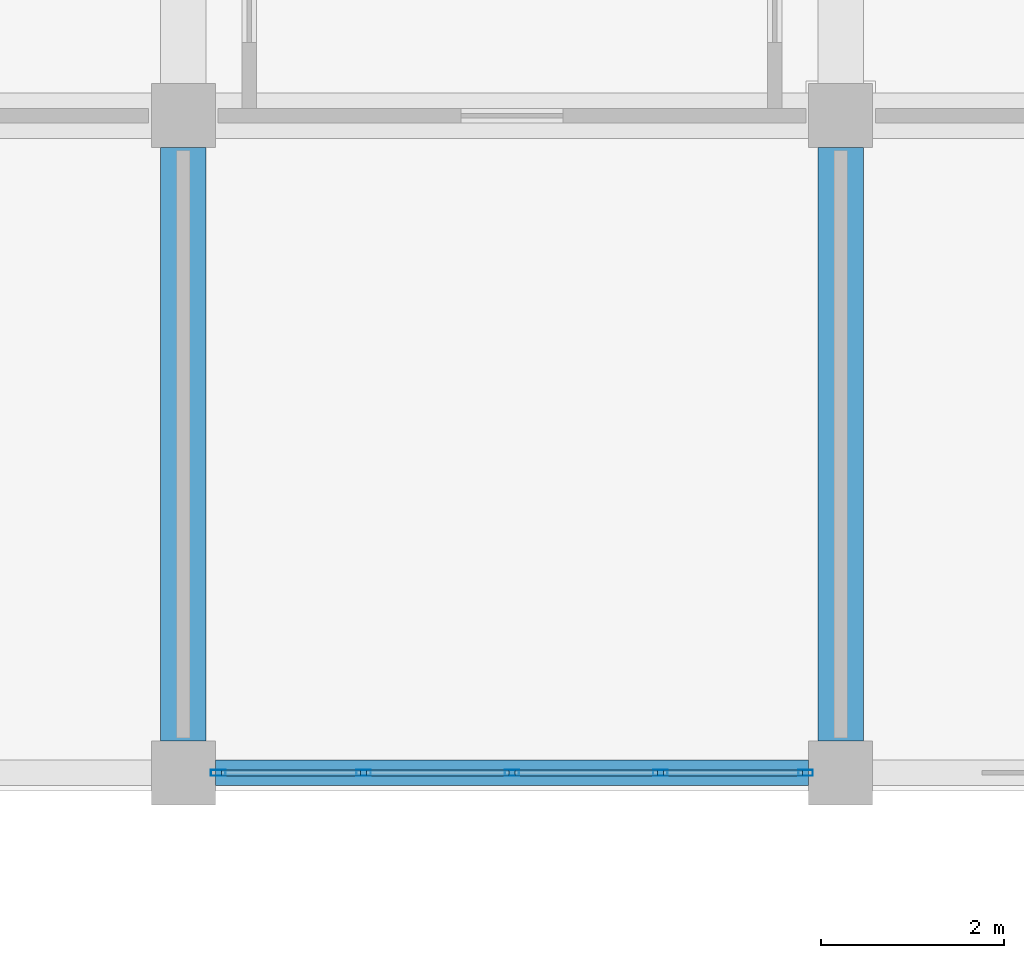
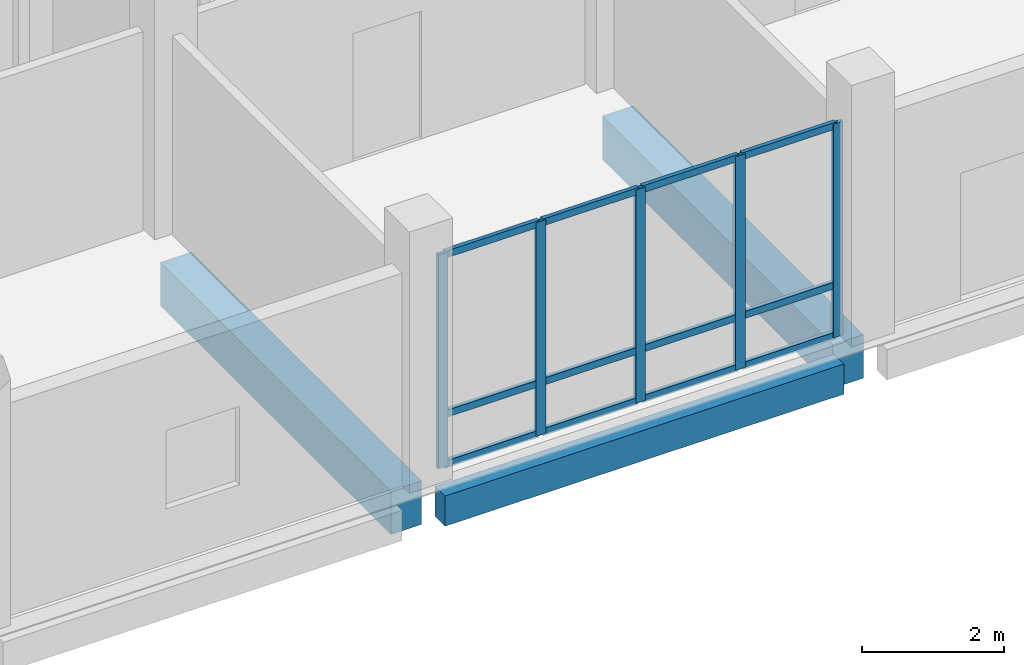
# One storey, part 73 of 139: 17 members, 3 beams, 1 element without a shape of its own.
"""IFC4 building model written with IfcOpenShell, lengths in metres."""

from ifc_helpers import new_model, si_unit, direction, frame, origin, origin_2d, place, context, subcontext, project, spatial, rectangle, hollow_rectangle, extrude, material, material_profile, profile_set, type_object, element, aggregate, save


model = new_model("IFC4")

# Units and contexts
model_context = context("Model", 3, precision=1e-05, world=origin(), true_north=direction((0.0, 1.0)))
body_context = subcontext(model_context, "Body", "Model", "MODEL_VIEW")
ifc_project = project(units=[si_unit("LENGTHUNIT", "METRE"), si_unit("AREAUNIT", "SQUARE_METRE"), si_unit("VOLUMEUNIT", "CUBIC_METRE"), si_unit("PLANEANGLEUNIT", "RADIAN"), si_unit("MASSUNIT", "GRAM", prefix="KILO")], contexts=[model_context])

# Site, building, storey
site_placement = place(None, origin())
site = spatial("IfcSite", under=ifc_project, at=site_placement, CompositionType="ELEMENT")
building_placement = place(site_placement, origin())
building = spatial("IfcBuilding", under=site, at=building_placement, Name="Suanplinth Sawtooth Commons", CompositionType="ELEMENT")
storey_placement = place(building_placement, origin())
storey = spatial("IfcBuildingStorey", under=building, at=storey_placement, Name="L00", CompositionType="ELEMENT", Elevation=0.0)

# Beams
ifc_material_1 = material(Name="Concrete C40/50", Category="concrete")
ifc_material_profile_1 = material_profile(ifc_material_1, rectangle(XDim=0.5, YDim=0.75, at=origin_2d()), Name="RC-GDR 500x750")
ifc_profile_set_1 = profile_set([ifc_material_profile_1], Name="Concrete C40/50")
beam_type_1 = type_object("IfcBeamType", Name="B-03", PredefinedType="USERDEFINED", material=ifc_profile_set_1)
for number, where, z_axis, x_axis, name in (
    (1, (165.60009765625, 0.35009765625, -0.794921875), (0.0, 1.0, 0.0), (-1.0, 0.0, 0.0), "BMY-L00-C-23-0"),
    (2, (172.800048828125, 0.35009765625, -0.794921875), (0.0, 1.0, 0.0), (-1.0, 0.0, 0.0), "BMY-L00-C-24-0"),
):
    element("IfcBeam", number, at=place(storey_placement, frame(where, z_axis=z_axis, x_axis=x_axis)), inside=storey, type_object=beam_type_1, Name=name, ObjectType="GIRDER", PredefinedType="USERDEFINED", context=body_context, shape_type="SweptSolid", body=[
        extrude(rectangle(XDim=0.5, YDim=0.75, at=origin_2d()), origin(), (0.0, 0.0, 1.0), 6.5),
    ])
ifc_material_2 = material(Name="Precast concrete C40/50", Category="concrete")
ifc_material_profile_2 = material_profile(ifc_material_2, rectangle(XDim=0.280029296875, YDim=0.52001953125, at=origin_2d()), Name="PC-SP 280x520")
ifc_profile_set_2 = profile_set([ifc_material_profile_2], Name="Precast concrete C40/50")
beam_type_2 = type_object("IfcBeamType", Name="B-08", PredefinedType="SPANDREL", material=ifc_profile_set_2)
beam_placement = place(storey_placement, frame((165.949951171875, 0.0, -0.679931640625), z_axis=(1.0, 0.0, 0.0), x_axis=(0.0, 1.0, 0.0)))
element("IfcBeam", 3, at=beam_placement, inside=storey, type_object=beam_type_2, Name="BMX-L00-C-23-0", PredefinedType="SPANDREL", context=body_context, shape_type="SweptSolid", body=[
    extrude(rectangle(XDim=0.280029296875, YDim=0.52001953125, at=origin_2d()), origin(), (0.0, 0.0, 1.0), 6.5),
])

# Curtain wall, members
ifc_material_3 = material(Name="Anodized aluminium and low-E glazing", Category="aluminium")
curtain_wall_type = type_object("IfcCurtainWallType", Name="CW-04", PredefinedType="USERDEFINED", material=ifc_material_3)
curtain_wall_placement = place(storey_placement, origin())
curtain_wall = element("IfcCurtainWall", 4, at=curtain_wall_placement, inside=storey, type_object=curtain_wall_type, Name="Curtain Wall CW-L00-C-S-23", ObjectType="CURTAIN WALL", PredefinedType="USERDEFINED")
ifc_material_4 = material(Name="Anodized aluminium 6063-T6", Category="aluminium")
ifc_material_profile_3 = material_profile(ifc_material_4, hollow_rectangle(XDim=0.06494140625, YDim=0.159912109375, WallThickness=0.00390625, at=origin_2d()), Name="ALU-MUL 65x160")
ifc_profile_set_3 = profile_set([ifc_material_profile_3], Name="Anodized aluminium 6063-T6")
member_type_1 = type_object("IfcMemberType", Name="M-13", PredefinedType="MULLION", material=ifc_profile_set_3)
member_1_placement = place(storey_placement, frame((165.982421875, 0.0, 0.0), z_axis=(0.0, 0.0, 1.0), x_axis=(0.0, 1.0, 0.0)))
member_1 = element("IfcMember", 5, at=member_1_placement, type_object=member_type_1, Name="CW-04 mullion 1", PredefinedType="MULLION", context=body_context, shape_type="SweptSolid", body=[
    extrude(hollow_rectangle(XDim=0.06494140625, YDim=0.159912109375, WallThickness=0.00390625, at=origin_2d()), origin(), (0.0, 0.0, 1.0), 3.679931640625),
])
member_2_placement = place(storey_placement, frame((167.574951171875, 0.0, 0.0), z_axis=(0.0, 0.0, 1.0), x_axis=(0.0, 1.0, 0.0)))
member_2 = element("IfcMember", 6, at=member_2_placement, type_object=member_type_1, Name="CW-04 mullion 2", PredefinedType="MULLION", context=body_context, shape_type="SweptSolid", body=[
    extrude(hollow_rectangle(XDim=0.06494140625, YDim=0.159912109375, WallThickness=0.00390625, at=origin_2d()), origin(), (0.0, 0.0, 1.0), 3.679931640625),
])
member_3_placement = place(storey_placement, frame((169.199951171875, 0.0, 0.0), z_axis=(0.0, 0.0, 1.0), x_axis=(0.0, 1.0, 0.0)))
member_3 = element("IfcMember", 7, at=member_3_placement, type_object=member_type_1, Name="CW-04 mullion 3", PredefinedType="MULLION", context=body_context, shape_type="SweptSolid", body=[
    extrude(hollow_rectangle(XDim=0.06494140625, YDim=0.159912109375, WallThickness=0.00390625, at=origin_2d()), origin(), (0.0, 0.0, 1.0), 3.679931640625),
])
member_4_placement = place(storey_placement, frame((170.824951171875, 0.0, 0.0), z_axis=(0.0, 0.0, 1.0), x_axis=(0.0, 1.0, 0.0)))
member_4 = element("IfcMember", 8, at=member_4_placement, type_object=member_type_1, Name="CW-04 mullion 4", PredefinedType="MULLION", context=body_context, shape_type="SweptSolid", body=[
    extrude(hollow_rectangle(XDim=0.06494140625, YDim=0.159912109375, WallThickness=0.00390625, at=origin_2d()), origin(), (0.0, 0.0, 1.0), 3.679931640625),
])
member_5_placement = place(storey_placement, frame((172.41748046875, 0.0, 0.0), z_axis=(0.0, 0.0, 1.0), x_axis=(0.0, 1.0, 0.0)))
member_5 = element("IfcMember", 9, at=member_5_placement, type_object=member_type_1, Name="CW-04 mullion 5", PredefinedType="MULLION", context=body_context, shape_type="SweptSolid", body=[
    extrude(hollow_rectangle(XDim=0.06494140625, YDim=0.159912109375, WallThickness=0.00390625, at=origin_2d()), origin(), (0.0, 0.0, 1.0), 3.679931640625),
])
ifc_material_profile_4 = material_profile(ifc_material_4, hollow_rectangle(XDim=0.06494140625, YDim=0.1201171875, WallThickness=0.00390625, at=origin_2d()), Name="ALU-TRN 65x120")
ifc_profile_set_4 = profile_set([ifc_material_profile_4], Name="Anodized aluminium 6063-T6")
member_type_2 = type_object("IfcMemberType", Name="M-15", PredefinedType="USERDEFINED", material=ifc_profile_set_4)
member_6_placement = place(storey_placement, frame((166.014892578125, 0.0, 0.032470703125), z_axis=(1.0, 0.0, 0.0), x_axis=(0.0, 1.0, 0.0)))
member_6 = element("IfcMember", 10, at=member_6_placement, type_object=member_type_2, Name="CW-04 transom 1.1", ObjectType="TRANSOM", PredefinedType="USERDEFINED", context=body_context, shape_type="SweptSolid", body=[
    extrude(hollow_rectangle(XDim=0.06494140625, YDim=0.1201171875, WallThickness=0.00390625, at=origin_2d()), origin(), (0.0, 0.0, 1.0), 1.527587890625),
])
member_7_placement = place(storey_placement, frame((166.014892578125, 0.0, 0.89990234375), z_axis=(1.0, 0.0, 0.0), x_axis=(0.0, 1.0, 0.0)))
member_7 = element("IfcMember", 11, at=member_7_placement, type_object=member_type_2, Name="CW-04 transom 1.2", ObjectType="TRANSOM", PredefinedType="USERDEFINED", context=body_context, shape_type="SweptSolid", body=[
    extrude(hollow_rectangle(XDim=0.06494140625, YDim=0.1201171875, WallThickness=0.00390625, at=origin_2d()), origin(), (0.0, 0.0, 1.0), 1.527587890625),
])
member_8_placement = place(storey_placement, frame((166.014892578125, 0.0, 3.6474609375), z_axis=(1.0, 0.0, 0.0), x_axis=(0.0, 1.0, 0.0)))
member_8 = element("IfcMember", 12, at=member_8_placement, type_object=member_type_2, Name="CW-04 transom 1.3", ObjectType="TRANSOM", PredefinedType="USERDEFINED", context=body_context, shape_type="SweptSolid", body=[
    extrude(hollow_rectangle(XDim=0.06494140625, YDim=0.1201171875, WallThickness=0.00390625, at=origin_2d()), origin(), (0.0, 0.0, 1.0), 1.527587890625),
])
member_9_placement = place(storey_placement, frame((167.607421875, 0.0, 0.032470703125), z_axis=(1.0, 0.0, 0.0), x_axis=(0.0, 1.0, 0.0)))
member_9 = element("IfcMember", 13, at=member_9_placement, type_object=member_type_2, Name="CW-04 transom 2.1", ObjectType="TRANSOM", PredefinedType="USERDEFINED", context=body_context, shape_type="SweptSolid", body=[
    extrude(hollow_rectangle(XDim=0.06494140625, YDim=0.1201171875, WallThickness=0.00390625, at=origin_2d()), origin(), (0.0, 0.0, 1.0), 1.56005859375),
])
member_10_placement = place(storey_placement, frame((167.607421875, 0.0, 0.89990234375), z_axis=(1.0, 0.0, 0.0), x_axis=(0.0, 1.0, 0.0)))
member_10 = element("IfcMember", 14, at=member_10_placement, type_object=member_type_2, Name="CW-04 transom 2.2", ObjectType="TRANSOM", PredefinedType="USERDEFINED", context=body_context, shape_type="SweptSolid", body=[
    extrude(hollow_rectangle(XDim=0.06494140625, YDim=0.1201171875, WallThickness=0.00390625, at=origin_2d()), origin(), (0.0, 0.0, 1.0), 1.56005859375),
])
member_11_placement = place(storey_placement, frame((167.607421875, 0.0, 3.6474609375), z_axis=(1.0, 0.0, 0.0), x_axis=(0.0, 1.0, 0.0)))
member_11 = element("IfcMember", 15, at=member_11_placement, type_object=member_type_2, Name="CW-04 transom 2.3", ObjectType="TRANSOM", PredefinedType="USERDEFINED", context=body_context, shape_type="SweptSolid", body=[
    extrude(hollow_rectangle(XDim=0.06494140625, YDim=0.1201171875, WallThickness=0.00390625, at=origin_2d()), origin(), (0.0, 0.0, 1.0), 1.56005859375),
])
member_12_placement = place(storey_placement, frame((169.232421875, 0.0, 0.032470703125), z_axis=(1.0, 0.0, 0.0), x_axis=(0.0, 1.0, 0.0)))
member_12 = element("IfcMember", 16, at=member_12_placement, type_object=member_type_2, Name="CW-04 transom 3.1", ObjectType="TRANSOM", PredefinedType="USERDEFINED", context=body_context, shape_type="SweptSolid", body=[
    extrude(hollow_rectangle(XDim=0.06494140625, YDim=0.1201171875, WallThickness=0.00390625, at=origin_2d()), origin(), (0.0, 0.0, 1.0), 1.56005859375),
])
member_13_placement = place(storey_placement, frame((169.232421875, 0.0, 0.89990234375), z_axis=(1.0, 0.0, 0.0), x_axis=(0.0, 1.0, 0.0)))
member_13 = element("IfcMember", 17, at=member_13_placement, type_object=member_type_2, Name="CW-04 transom 3.2", ObjectType="TRANSOM", PredefinedType="USERDEFINED", context=body_context, shape_type="SweptSolid", body=[
    extrude(hollow_rectangle(XDim=0.06494140625, YDim=0.1201171875, WallThickness=0.00390625, at=origin_2d()), origin(), (0.0, 0.0, 1.0), 1.56005859375),
])
member_14_placement = place(storey_placement, frame((169.232421875, 0.0, 3.6474609375), z_axis=(1.0, 0.0, 0.0), x_axis=(0.0, 1.0, 0.0)))
member_14 = element("IfcMember", 18, at=member_14_placement, type_object=member_type_2, Name="CW-04 transom 3.3", ObjectType="TRANSOM", PredefinedType="USERDEFINED", context=body_context, shape_type="SweptSolid", body=[
    extrude(hollow_rectangle(XDim=0.06494140625, YDim=0.1201171875, WallThickness=0.00390625, at=origin_2d()), origin(), (0.0, 0.0, 1.0), 1.56005859375),
])
member_15_placement = place(storey_placement, frame((170.857421875, 0.0, 0.032470703125), z_axis=(1.0, 0.0, 0.0), x_axis=(0.0, 1.0, 0.0)))
member_15 = element("IfcMember", 19, at=member_15_placement, type_object=member_type_2, Name="CW-04 transom 4.1", ObjectType="TRANSOM", PredefinedType="USERDEFINED", context=body_context, shape_type="SweptSolid", body=[
    extrude(hollow_rectangle(XDim=0.06494140625, YDim=0.1201171875, WallThickness=0.00390625, at=origin_2d()), origin(), (0.0, 0.0, 1.0), 1.527587890625),
])
member_16_placement = place(storey_placement, frame((170.857421875, 0.0, 0.89990234375), z_axis=(1.0, 0.0, 0.0), x_axis=(0.0, 1.0, 0.0)))
member_16 = element("IfcMember", 20, at=member_16_placement, type_object=member_type_2, Name="CW-04 transom 4.2", ObjectType="TRANSOM", PredefinedType="USERDEFINED", context=body_context, shape_type="SweptSolid", body=[
    extrude(hollow_rectangle(XDim=0.06494140625, YDim=0.1201171875, WallThickness=0.00390625, at=origin_2d()), origin(), (0.0, 0.0, 1.0), 1.527587890625),
])
member_17_placement = place(storey_placement, frame((170.857421875, 0.0, 3.6474609375), z_axis=(1.0, 0.0, 0.0), x_axis=(0.0, 1.0, 0.0)))
member_17 = element("IfcMember", 21, at=member_17_placement, type_object=member_type_2, Name="CW-04 transom 4.3", ObjectType="TRANSOM", PredefinedType="USERDEFINED", context=body_context, shape_type="SweptSolid", body=[
    extrude(hollow_rectangle(XDim=0.06494140625, YDim=0.1201171875, WallThickness=0.00390625, at=origin_2d()), origin(), (0.0, 0.0, 1.0), 1.527587890625),
])
aggregate(curtain_wall, [member_1, member_2, member_3, member_4, member_5, member_6, member_7, member_8, member_9, member_10, member_11, member_12, member_13, member_14, member_15, member_16, member_17])

save(model, "model.ifc")
